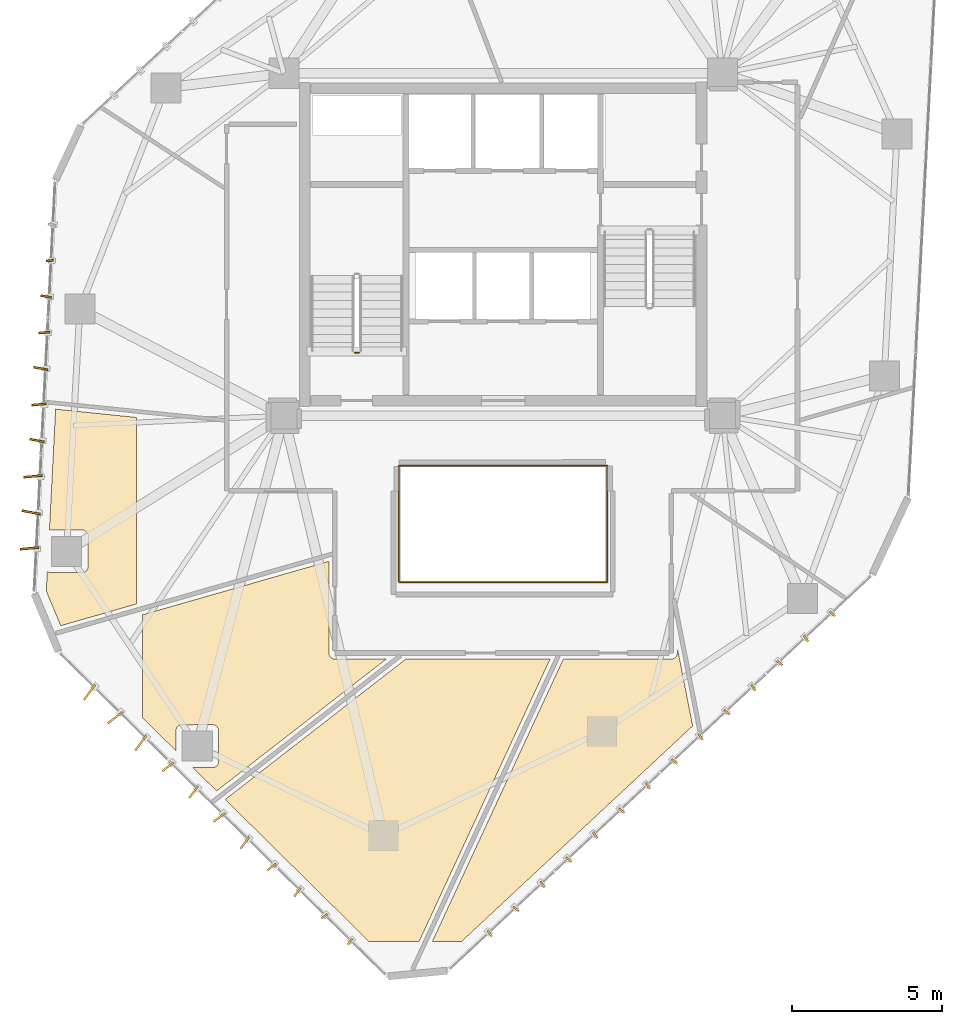
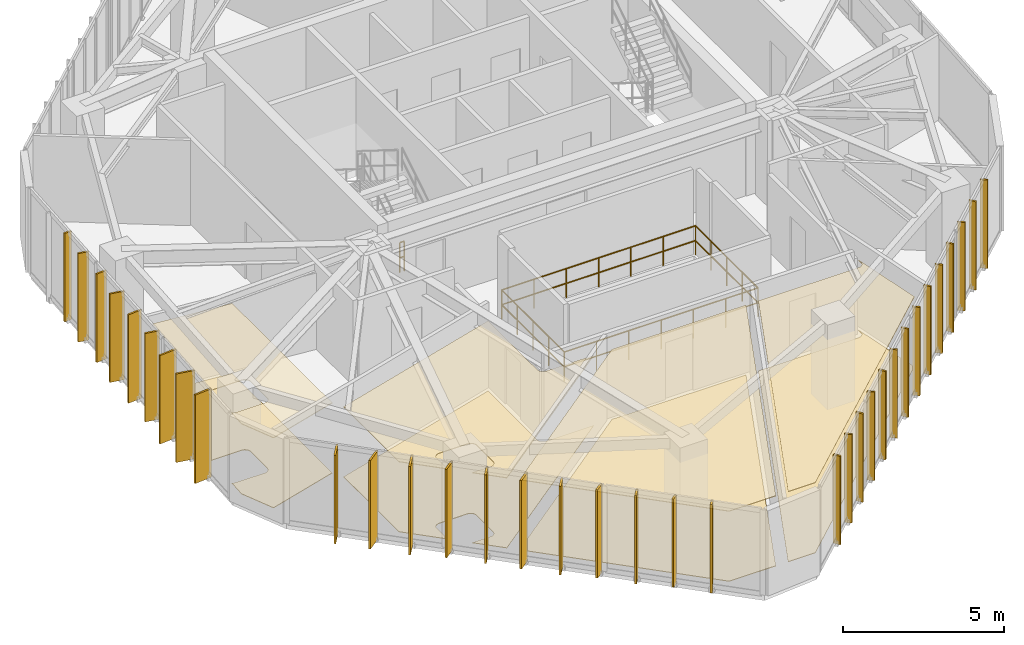
# One storey, part 18 of 19: 34 shading devices, 8 coverings, 5 railings.
"""IFC4 building model written with IfcOpenShell, lengths in metres."""

from ifc_helpers import new_model, si_unit, direction, frame, origin, origin_2d, place, context, subcontext, project, spatial, polyline, rectangle, circle, outline, extrude, source, transform, mapped, material, layer, layer_set, type_object, type_shapes, element, save


model = new_model("IFC4")

# Units and contexts
model_context = context("Model", 3, precision=1e-05, world=origin(), true_north=direction((0.0, 1.0)))
body_context = subcontext(model_context, "Body", "Model", "MODEL_VIEW")
ifc_project = project(units=[si_unit("LENGTHUNIT", "METRE"), si_unit("AREAUNIT", "SQUARE_METRE"), si_unit("VOLUMEUNIT", "CUBIC_METRE"), si_unit("PLANEANGLEUNIT", "RADIAN"), si_unit("MASSUNIT", "GRAM", prefix="KILO")], contexts=[model_context])

# Site, building, storey
site_placement = place(None, origin())
site = spatial("IfcSite", under=ifc_project, at=site_placement, CompositionType="ELEMENT")
building_placement = place(site_placement, origin())
building = spatial("IfcBuilding", under=site, at=building_placement, Name="Talar Marvaseh", CompositionType="ELEMENT")
storey_placement = place(building_placement, frame((0.0, 0.0, 218.699951171875)))
storey = spatial("IfcBuildingStorey", under=building, at=storey_placement, Name="L57", CompositionType="ELEMENT", Elevation=218.699951171875)

# Railings
ifc_material_1 = material(Name="Tempered Clear Glass", Category="glass")
railing_type_1 = type_object("IfcRailingType", Name="Interior Atrium Edge Balustrade 1120", PredefinedType="BALUSTRADE", material=ifc_material_1)
railing_1_placement = place(storey_placement, frame((22.5302734375, 19.9609375, 0.0)))
element("IfcRailing", 1, at=railing_1_placement, inside=storey, type_object=railing_type_1, Name="L57 Internal Daylight Atrium Balustrade 1", PredefinedType="BALUSTRADE", context=body_context, shape_type="SweptSolid", body=[
    extrude(circle(Radius=0.02392578125, at=origin_2d()), frame((0.0, 0.0, 1.09619140625), z_axis=(1.0, 0.0, 0.0), x_axis=(0.0, 1.0, 0.0)), (0.0, 0.0, 1.0), 6.939453125),
    extrude(circle(Radius=0.02392578125, at=origin_2d()), frame((0.0, 0.0, 0.5361328125), z_axis=(1.0, 0.0, 0.0), x_axis=(0.0, 1.0, 0.0)), (0.0, 0.0, 1.0), 6.939453125),
    extrude(circle(Radius=0.02099609375, at=origin_2d()), origin(), (0.0, 0.0, 1.0), 1.072021484375),
    extrude(circle(Radius=0.02099609375, at=origin_2d()), frame((1.156494140625, 0.0, 0.0)), (0.0, 0.0, 1.0), 1.072021484375),
    extrude(circle(Radius=0.02099609375, at=origin_2d()), frame((2.313232421875, 0.0, 0.0)), (0.0, 0.0, 1.0), 1.072021484375),
    extrude(circle(Radius=0.02099609375, at=origin_2d()), frame((3.4697265625, 0.0, 0.0)), (0.0, 0.0, 1.0), 1.072021484375),
    extrude(circle(Radius=0.02099609375, at=origin_2d()), frame((4.626220703125, 0.0, 0.0)), (0.0, 0.0, 1.0), 1.072021484375),
    extrude(circle(Radius=0.02099609375, at=origin_2d()), frame((5.782958984375, 0.0, 0.0)), (0.0, 0.0, 1.0), 1.072021484375),
    extrude(circle(Radius=0.02099609375, at=origin_2d()), frame((6.939453125, 0.0, 0.0)), (0.0, 0.0, 1.0), 1.072021484375),
])
railing_2_placement = place(storey_placement, frame((29.4697265625, 19.9609375, 0.0)))
element("IfcRailing", 2, at=railing_2_placement, inside=storey, type_object=railing_type_1, Name="L57 Internal Daylight Atrium Balustrade 2", PredefinedType="BALUSTRADE", context=body_context, shape_type="SweptSolid", body=[
    extrude(circle(Radius=0.02392578125, at=origin_2d()), frame((0.0, 0.0, 1.09619140625), z_axis=(0.0, 1.0, 0.0), x_axis=(-1.0, 0.0, 0.0)), (0.0, 0.0, 1.0), 3.878173828125),
    extrude(circle(Radius=0.02392578125, at=origin_2d()), frame((0.0, 0.0, 0.5361328125), z_axis=(0.0, 1.0, 0.0), x_axis=(-1.0, 0.0, 0.0)), (0.0, 0.0, 1.0), 3.878173828125),
    extrude(circle(Radius=0.02099609375, at=origin_2d()), origin(), (0.0, 0.0, 1.0), 1.072021484375),
    extrude(circle(Radius=0.02099609375, at=origin_2d()), frame((0.0, 0.969482421875, 0.0)), (0.0, 0.0, 1.0), 1.072021484375),
    extrude(circle(Radius=0.02099609375, at=origin_2d()), frame((0.0, 1.93896484375, 0.0)), (0.0, 0.0, 1.0), 1.072021484375),
    extrude(circle(Radius=0.02099609375, at=origin_2d()), frame((0.0, 2.90869140625, 0.0)), (0.0, 0.0, 1.0), 1.072021484375),
    extrude(circle(Radius=0.02099609375, at=origin_2d()), frame((0.0, 3.878173828125, 0.0)), (0.0, 0.0, 1.0), 1.072021484375),
])
railing_3_placement = place(storey_placement, frame((29.4697265625, 23.839111328125, 0.0)))
element("IfcRailing", 3, at=railing_3_placement, inside=storey, type_object=railing_type_1, Name="L57 Internal Daylight Atrium Balustrade 3", PredefinedType="BALUSTRADE", context=body_context, shape_type="SweptSolid", body=[
    extrude(circle(Radius=0.02392578125, at=origin_2d()), frame((0.0, 0.0, 1.09619140625), z_axis=(-1.0, 0.0, 0.0), x_axis=(0.0, -1.0, 0.0)), (0.0, 0.0, 1.0), 6.939453125),
    extrude(circle(Radius=0.02392578125, at=origin_2d()), frame((0.0, 0.0, 0.5361328125), z_axis=(-1.0, 0.0, 0.0), x_axis=(0.0, -1.0, 0.0)), (0.0, 0.0, 1.0), 6.939453125),
    extrude(circle(Radius=0.02099609375, at=origin_2d()), origin(), (0.0, 0.0, 1.0), 1.072021484375),
    extrude(circle(Radius=0.02099609375, at=origin_2d()), frame((-1.156494140625, 0.0, 0.0)), (0.0, 0.0, 1.0), 1.072021484375),
    extrude(circle(Radius=0.02099609375, at=origin_2d()), frame((-2.313232421875, 0.0, 0.0)), (0.0, 0.0, 1.0), 1.072021484375),
    extrude(circle(Radius=0.02099609375, at=origin_2d()), frame((-3.4697265625, 0.0, 0.0)), (0.0, 0.0, 1.0), 1.072021484375),
    extrude(circle(Radius=0.02099609375, at=origin_2d()), frame((-4.626220703125, 0.0, 0.0)), (0.0, 0.0, 1.0), 1.072021484375),
    extrude(circle(Radius=0.02099609375, at=origin_2d()), frame((-5.782958984375, 0.0, 0.0)), (0.0, 0.0, 1.0), 1.072021484375),
    extrude(circle(Radius=0.02099609375, at=origin_2d()), frame((-6.939453125, 0.0, 0.0)), (0.0, 0.0, 1.0), 1.072021484375),
])
railing_4_placement = place(storey_placement, frame((22.5302734375, 23.839111328125, 0.0)))
element("IfcRailing", 4, at=railing_4_placement, inside=storey, type_object=railing_type_1, Name="L57 Internal Daylight Atrium Balustrade 4", PredefinedType="BALUSTRADE", context=body_context, shape_type="SweptSolid", body=[
    extrude(circle(Radius=0.02392578125, at=origin_2d()), frame((0.0, 0.0, 1.09619140625), z_axis=(0.0, -1.0, 0.0), x_axis=(1.0, 0.0, 0.0)), (0.0, 0.0, 1.0), 3.878173828125),
    extrude(circle(Radius=0.02392578125, at=origin_2d()), frame((0.0, 0.0, 0.5361328125), z_axis=(0.0, -1.0, 0.0), x_axis=(1.0, 0.0, 0.0)), (0.0, 0.0, 1.0), 3.878173828125),
    extrude(circle(Radius=0.02099609375, at=origin_2d()), origin(), (0.0, 0.0, 1.0), 1.072021484375),
    extrude(circle(Radius=0.02099609375, at=origin_2d()), frame((0.0, -0.969482421875, 0.0)), (0.0, 0.0, 1.0), 1.072021484375),
    extrude(circle(Radius=0.02099609375, at=origin_2d()), frame((0.0, -1.93896484375, 0.0)), (0.0, 0.0, 1.0), 1.072021484375),
    extrude(circle(Radius=0.02099609375, at=origin_2d()), frame((0.0, -2.90869140625, 0.0)), (0.0, 0.0, 1.0), 1.072021484375),
    extrude(circle(Radius=0.02099609375, at=origin_2d()), frame((0.0, -3.878173828125, 0.0)), (0.0, 0.0, 1.0), 1.072021484375),
])
ifc_material_2 = material(Name="Stainless Steel Grade 316", Category="steel")
railing_type_2 = type_object("IfcRailingType", Name="Painted Steel Core Stair Well Guardrail 1150", PredefinedType="GUARDRAIL", material=ifc_material_2)
railing_5_placement = place(storey_placement, frame((21.2099609375, 27.60009765625, 0.0)))
element("IfcRailing", 5, at=railing_5_placement, inside=storey, type_object=railing_type_2, Name="L57 ST-1 stair guard 4", PredefinedType="GUARDRAIL", context=body_context, shape_type="SweptSolid", body=[
    extrude(circle(Radius=0.02392578125, at=origin_2d()), frame((0.0, 0.0, 1.1259765625), z_axis=(-1.0, 0.0, 0.0), x_axis=(0.0, -1.0, 0.0)), (0.0, 0.0, 1.0), 0.159912109375),
    extrude(circle(Radius=0.02392578125, at=origin_2d()), frame((0.0, 0.0, 0.55078125), z_axis=(-1.0, 0.0, 0.0), x_axis=(0.0, -1.0, 0.0)), (0.0, 0.0, 1.0), 0.159912109375),
    extrude(circle(Radius=0.02099609375, at=origin_2d()), origin(), (0.0, 0.0, 1.0), 1.101806640625),
    extrude(circle(Radius=0.02099609375, at=origin_2d()), frame((-0.159912109375, 0.0, 0.0)), (0.0, 0.0, 1.0), 1.101806640625),
])

# Coverings
ifc_material_3 = material(Name="Mineral Fibre Acoustic Ceiling")
ifc_layer_1 = layer(ifc_material_3, 0.02490234375)
ifc_layer_set_1 = layer_set([ifc_layer_1], Name="Mineral Fibre Acoustic Ceiling")
covering_type_1 = type_object("IfcCoveringType", Name="Perforated Mineral Fibre Acoustic Suspended Ceiling", PredefinedType="CEILING", material=ifc_layer_set_1)
covering_1_placement = place(storey_placement, frame((0.0, 0.0, 2.650146484375)))
element("IfcCovering", 6, at=covering_1_placement, inside=storey, type_object=covering_type_1, Name="L57 Gallery Concierge Reception Acoustic Ceiling", PredefinedType="CEILING", context=body_context, shape_type="SweptSolid", body=[
    extrude(outline(polyline([(10.850341796875, 20.30908203125), (10.8671875, 20.299072265625), (10.885009765625, 20.29052734375), (10.9033203125, 20.283935546875), (10.92236328125, 20.279296875), (10.94189453125, 20.2763671875), (10.96142578125, 20.275390625), (11.982666015625, 20.275390625), (12.002197265625, 20.2763671875), (12.021484375, 20.279296875), (12.04052734375, 20.283935546875), (12.058837890625, 20.29052734375), (12.07666015625, 20.298828125), (12.093505859375, 20.308837890625), (12.109130859375, 20.320556640625), (12.123779296875, 20.333740234375), (12.136962890625, 20.34814453125), (12.148681640625, 20.36376953125), (12.15869140625, 20.380615234375), (12.1669921875, 20.398193359375), (12.173828125, 20.416748046875), (12.1787109375, 20.435791015625), (12.181640625, 20.455078125), (12.1826171875, 20.474609375), (12.18701171875, 21.48681640625), (12.18603515625, 21.50537109375), (12.18359375, 21.523681640625), (12.179443359375, 21.5419921875), (12.173583984375, 21.5595703125), (12.166015625, 21.57666015625), (12.156982421875, 21.593017578125), (12.146240234375, 21.6083984375), (12.134521484375, 21.62255859375), (12.12109375, 21.6357421875), (12.106201171875, 21.649169921875), (12.092041015625, 21.660888671875), (12.07666015625, 21.67138671875), (12.060546875, 21.680419921875), (12.043701171875, 21.687744140625), (12.02587890625, 21.693603515625), (12.008056640625, 21.69775390625), (11.989501953125, 21.7001953125), (11.97119140625, 21.700927734375), (10.96044921875, 21.696533203125), (10.94091796875, 21.695556640625), (10.921630859375, 21.692626953125), (10.902587890625, 21.687744140625), (10.897216796875, 21.685791015625), (11.10400390625, 25.718994140625), (13.800048828125, 25.4423828125), (13.800048828125, 19.2333984375), (11.275146484375, 18.50927734375), (10.793701171875, 19.664306640625), (10.82763671875, 20.326904296875), (10.83447265625, 20.32080078125), (10.850341796875, 20.30908203125)])), origin(), (0.0, 0.0, 1.0), 0.02490234375),
])
covering_2_placement = place(storey_placement, frame((0.0, 0.0, 2.650146484375)))
element("IfcCovering", 7, at=covering_2_placement, inside=storey, type_object=covering_type_1, Name="L57 Rare Books Archive Room Acoustic Ceiling", PredefinedType="CEILING", context=body_context, shape_type="SweptSolid", body=[
    extrude(outline(polyline([(20.199951171875, 17.60009765625), (20.200927734375, 17.580322265625), (20.203857421875, 17.56103515625), (20.20849609375, 17.5419921875), (20.215087890625, 17.5234375), (20.2236328125, 17.505615234375), (20.233642578125, 17.489013671875), (20.245361328125, 17.47314453125), (20.258544921875, 17.45849609375), (20.273193359375, 17.4453125), (20.288818359375, 17.43359375), (20.3056640625, 17.423583984375), (20.323486328125, 17.415283203125), (20.341796875, 17.40869140625), (20.361083984375, 17.40380859375), (20.38037109375, 17.40087890625), (20.39990234375, 17.39990234375), (22.111083984375, 17.39990234375), (16.4619140625, 13.00927734375), (15.671142578125, 13.790283203125), (16.32958984375, 13.790283203125), (16.34912109375, 13.79150390625), (16.368408203125, 13.794189453125), (16.387451171875, 13.799072265625), (16.406005859375, 13.805419921875), (16.423583984375, 13.81396484375), (16.4404296875, 13.823974609375), (16.456298828125, 13.835693359375), (16.470703125, 13.8486328125), (16.48388671875, 13.86328125), (16.49560546875, 13.87890625), (16.505615234375, 13.8955078125), (16.51416015625, 13.913330078125), (16.520751953125, 13.931640625), (16.525634765625, 13.95068359375), (16.528564453125, 13.969970703125), (16.529541015625, 13.989501953125), (16.533935546875, 15.001708984375), (16.533203125, 15.020263671875), (16.530517578125, 15.038818359375), (16.5263671875, 15.056884765625), (16.5205078125, 15.07470703125), (16.512939453125, 15.091552734375), (16.50390625, 15.10791015625), (16.493408203125, 15.123291015625), (16.4814453125, 15.1376953125), (16.46826171875, 15.150634765625), (16.453369140625, 15.164306640625), (16.43896484375, 15.176025390625), (16.423583984375, 15.186279296875), (16.407470703125, 15.1953125), (16.390625, 15.202880859375), (16.373046875, 15.20849609375), (16.35498046875, 15.212646484375), (16.336669921875, 15.215087890625), (16.318115234375, 15.216064453125), (15.3076171875, 15.211669921875), (15.2880859375, 15.210693359375), (15.2685546875, 15.20751953125), (15.249755859375, 15.202880859375), (15.231201171875, 15.196044921875), (15.213623046875, 15.187744140625), (15.19677734375, 15.177490234375), (15.18115234375, 15.166015625), (15.166748046875, 15.152587890625), (15.153564453125, 15.13818359375), (15.141845703125, 15.122314453125), (15.1318359375, 15.105712890625), (15.12353515625, 15.087890625), (15.116943359375, 15.069580078125), (15.1123046875, 15.050537109375), (15.109375, 15.031005859375), (15.1083984375, 15.01171875), (15.1083984375, 14.346435546875), (14.0, 15.44140625), (14.0, 18.87451171875), (20.199951171875, 20.65234375), (20.199951171875, 17.60009765625)])), origin(), (0.0, 0.0, 1.0), 0.02490234375),
])
covering_3_placement = place(storey_placement, frame((0.0, 0.0, 2.650146484375)))
element("IfcCovering", 8, at=covering_3_placement, inside=storey, type_object=covering_type_1, Name="L57 Visitor Orientation Foyer Acoustic Ceiling", PredefinedType="CEILING", context=body_context, shape_type="SweptSolid", body=[
    extrude(outline(polyline([(27.564208984375, 17.39990234375), (23.20361328125, 8.0), (21.531982421875, 8.0), (16.748779296875, 12.7255859375), (22.762939453125, 17.39990234375), (27.564208984375, 17.39990234375)])), origin(), (0.0, 0.0, 1.0), 0.02490234375),
])
covering_4_placement = place(storey_placement, frame((0.0, 0.0, 2.650146484375)))
element("IfcCovering", 9, at=covering_4_placement, inside=storey, type_object=covering_type_1, Name="L57 Collection Conservation Store Acoustic Ceiling", PredefinedType="CEILING", context=body_context, shape_type="SweptSolid", body=[
    extrude(outline(polyline([(31.60009765625, 17.39990234375), (31.61962890625, 17.40087890625), (31.638916015625, 17.40380859375), (31.658203125, 17.40869140625), (31.676513671875, 17.415283203125), (31.6943359375, 17.423583984375), (31.711181640625, 17.43359375), (31.726806640625, 17.4453125), (31.741455078125, 17.45849609375), (31.754638671875, 17.47314453125), (31.766357421875, 17.489013671875), (31.7763671875, 17.505615234375), (31.784912109375, 17.5234375), (31.79150390625, 17.5419921875), (31.796142578125, 17.56103515625), (31.799072265625, 17.580322265625), (31.800048828125, 17.60009765625), (31.800048828125, 17.77197265625), (32.310302734375, 15.174560546875), (24.61865234375, 8.0), (23.64453125, 8.0), (28.005126953125, 17.39990234375), (31.60009765625, 17.39990234375)])), origin(), (0.0, 0.0, 1.0), 0.02490234375),
])
ifc_material_4 = material(Name="Porcelain Stoneware Tile", Category="masonry")
ifc_layer_2 = layer(ifc_material_4, 0.02001953125)
ifc_layer_set_2 = layer_set([ifc_layer_2], Name="Porcelain Stoneware Tile")
covering_type_2 = type_object("IfcCoveringType", Name="Polished Porcelain Stoneware Gallery Flooring", PredefinedType="FLOORING", material=ifc_layer_set_2)
covering_5_placement = place(storey_placement, origin())
element("IfcCovering", 10, at=covering_5_placement, inside=storey, type_object=covering_type_2, Name="L57 Gallery Concierge Reception Flooring", PredefinedType="FLOORING", context=body_context, shape_type="SweptSolid", body=[
    extrude(outline(polyline([(10.850341796875, 20.30908203125), (10.8671875, 20.299072265625), (10.885009765625, 20.29052734375), (10.9033203125, 20.283935546875), (10.92236328125, 20.279296875), (10.94189453125, 20.2763671875), (10.96142578125, 20.275390625), (11.982666015625, 20.275390625), (12.002197265625, 20.2763671875), (12.021484375, 20.279296875), (12.04052734375, 20.283935546875), (12.058837890625, 20.29052734375), (12.07666015625, 20.298828125), (12.093505859375, 20.308837890625), (12.109130859375, 20.320556640625), (12.123779296875, 20.333740234375), (12.136962890625, 20.34814453125), (12.148681640625, 20.36376953125), (12.15869140625, 20.380615234375), (12.1669921875, 20.398193359375), (12.173828125, 20.416748046875), (12.1787109375, 20.435791015625), (12.181640625, 20.455078125), (12.1826171875, 20.474609375), (12.18701171875, 21.48681640625), (12.18603515625, 21.50537109375), (12.18359375, 21.523681640625), (12.179443359375, 21.5419921875), (12.173583984375, 21.5595703125), (12.166015625, 21.57666015625), (12.156982421875, 21.593017578125), (12.146240234375, 21.6083984375), (12.134521484375, 21.62255859375), (12.12109375, 21.6357421875), (12.106201171875, 21.649169921875), (12.092041015625, 21.660888671875), (12.07666015625, 21.67138671875), (12.060546875, 21.680419921875), (12.043701171875, 21.687744140625), (12.02587890625, 21.693603515625), (12.008056640625, 21.69775390625), (11.989501953125, 21.7001953125), (11.97119140625, 21.700927734375), (10.96044921875, 21.696533203125), (10.94091796875, 21.695556640625), (10.921630859375, 21.692626953125), (10.902587890625, 21.687744140625), (10.897216796875, 21.685791015625), (11.10400390625, 25.718994140625), (13.800048828125, 25.4423828125), (13.800048828125, 19.2333984375), (11.275146484375, 18.50927734375), (10.793701171875, 19.664306640625), (10.82763671875, 20.326904296875), (10.83447265625, 20.32080078125), (10.850341796875, 20.30908203125)])), origin(), (0.0, 0.0, 1.0), 0.02001953125),
])
covering_6_placement = place(storey_placement, origin())
element("IfcCovering", 11, at=covering_6_placement, inside=storey, type_object=covering_type_2, Name="L57 Rare Books Archive Room Flooring", PredefinedType="FLOORING", context=body_context, shape_type="SweptSolid", body=[
    extrude(outline(polyline([(20.199951171875, 17.60009765625), (20.200927734375, 17.580322265625), (20.203857421875, 17.56103515625), (20.20849609375, 17.5419921875), (20.215087890625, 17.5234375), (20.2236328125, 17.505615234375), (20.233642578125, 17.489013671875), (20.245361328125, 17.47314453125), (20.258544921875, 17.45849609375), (20.273193359375, 17.4453125), (20.288818359375, 17.43359375), (20.3056640625, 17.423583984375), (20.323486328125, 17.415283203125), (20.341796875, 17.40869140625), (20.361083984375, 17.40380859375), (20.38037109375, 17.40087890625), (20.39990234375, 17.39990234375), (22.111083984375, 17.39990234375), (16.4619140625, 13.00927734375), (15.671142578125, 13.790283203125), (16.32958984375, 13.790283203125), (16.34912109375, 13.79150390625), (16.368408203125, 13.794189453125), (16.387451171875, 13.799072265625), (16.406005859375, 13.805419921875), (16.423583984375, 13.81396484375), (16.4404296875, 13.823974609375), (16.456298828125, 13.835693359375), (16.470703125, 13.8486328125), (16.48388671875, 13.86328125), (16.49560546875, 13.87890625), (16.505615234375, 13.8955078125), (16.51416015625, 13.913330078125), (16.520751953125, 13.931640625), (16.525634765625, 13.95068359375), (16.528564453125, 13.969970703125), (16.529541015625, 13.989501953125), (16.533935546875, 15.001708984375), (16.533203125, 15.020263671875), (16.530517578125, 15.038818359375), (16.5263671875, 15.056884765625), (16.5205078125, 15.07470703125), (16.512939453125, 15.091552734375), (16.50390625, 15.10791015625), (16.493408203125, 15.123291015625), (16.4814453125, 15.1376953125), (16.46826171875, 15.150634765625), (16.453369140625, 15.164306640625), (16.43896484375, 15.176025390625), (16.423583984375, 15.186279296875), (16.407470703125, 15.1953125), (16.390625, 15.202880859375), (16.373046875, 15.20849609375), (16.35498046875, 15.212646484375), (16.336669921875, 15.215087890625), (16.318115234375, 15.216064453125), (15.3076171875, 15.211669921875), (15.2880859375, 15.210693359375), (15.2685546875, 15.20751953125), (15.249755859375, 15.202880859375), (15.231201171875, 15.196044921875), (15.213623046875, 15.187744140625), (15.19677734375, 15.177490234375), (15.18115234375, 15.166015625), (15.166748046875, 15.152587890625), (15.153564453125, 15.13818359375), (15.141845703125, 15.122314453125), (15.1318359375, 15.105712890625), (15.12353515625, 15.087890625), (15.116943359375, 15.069580078125), (15.1123046875, 15.050537109375), (15.109375, 15.031005859375), (15.1083984375, 15.01171875), (15.1083984375, 14.346435546875), (14.0, 15.44140625), (14.0, 18.87451171875), (20.199951171875, 20.65234375), (20.199951171875, 17.60009765625)])), origin(), (0.0, 0.0, 1.0), 0.02001953125),
])
covering_7_placement = place(storey_placement, origin())
element("IfcCovering", 12, at=covering_7_placement, inside=storey, type_object=covering_type_2, Name="L57 Visitor Orientation Foyer Flooring", PredefinedType="FLOORING", context=body_context, shape_type="SweptSolid", body=[
    extrude(outline(polyline([(27.564208984375, 17.39990234375), (23.20361328125, 8.0), (21.531982421875, 8.0), (16.748779296875, 12.7255859375), (22.762939453125, 17.39990234375), (27.564208984375, 17.39990234375)])), origin(), (0.0, 0.0, 1.0), 0.02001953125),
])
covering_8_placement = place(storey_placement, origin())
element("IfcCovering", 13, at=covering_8_placement, inside=storey, type_object=covering_type_2, Name="L57 Collection Conservation Store Flooring", PredefinedType="FLOORING", context=body_context, shape_type="SweptSolid", body=[
    extrude(outline(polyline([(31.60009765625, 17.39990234375), (31.61962890625, 17.40087890625), (31.638916015625, 17.40380859375), (31.658203125, 17.40869140625), (31.676513671875, 17.415283203125), (31.6943359375, 17.423583984375), (31.711181640625, 17.43359375), (31.726806640625, 17.4453125), (31.741455078125, 17.45849609375), (31.754638671875, 17.47314453125), (31.766357421875, 17.489013671875), (31.7763671875, 17.505615234375), (31.784912109375, 17.5234375), (31.79150390625, 17.5419921875), (31.796142578125, 17.56103515625), (31.799072265625, 17.580322265625), (31.800048828125, 17.60009765625), (31.800048828125, 17.77197265625), (32.310302734375, 15.174560546875), (24.61865234375, 8.0), (23.64453125, 8.0), (28.005126953125, 17.39990234375), (31.60009765625, 17.39990234375)])), origin(), (0.0, 0.0, 1.0), 0.02001953125),
])

# Shading devices
ifc_material_5 = material(Name="Anodised Champagne Bronze Aluminium", Category="aluminium")
ifc_layer_3 = layer(ifc_material_5, 0.06494140625)
ifc_layer_set_3 = layer_set([ifc_layer_3], Name="Anodised Champagne Bronze Aluminium")
shading_device_type_1 = type_object("IfcShadingDeviceType", Name="Sawtooth Champagne Bronze Vertical Fin 240", PredefinedType="USERDEFINED", material=ifc_layer_set_3)
shared_shape_1 = source(origin(), body_context, "Body", "SweptSolid", [
    extrude(rectangle(XDim=0.239990234375, YDim=0.06494140625, at=origin_2d()), origin(), (0.0, 0.0, 1.0), 3.35009765625),
])
type_shapes(shading_device_type_1, [shared_shape_1])
for number, where, z_axis, x_axis, name in (
    (14, (20.904052734375, 7.994873046875, -0.1201171875), (0.0, 0.0, 1.0), (-0.596925238263, -0.802296865209, 0.0), "L57 Sawtooth Vertical Solar Fin"),
    (15, (20.05029296875, 8.838134765625, -0.1201171875), (0.0, 0.0, 1.0), (-0.794944353388, -0.606682351002, 0.0), "L57 Sawtooth Vertical Solar Fin"),
    (16, (10.91162109375, 30.661376953125, -0.1201171875), (0.0, 0.0, 1.0), (-0.996087473818, -0.088372758823, 0.0), "L57 Sawtooth Vertical Solar Fin"),
    (17, (36.9619140625, 18.9052734375, -0.1201171875), (0.0, 0.0, 1.0), (0.777255786749, -0.629184743907, 0.0), "L57 Sawtooth Vertical Solar Fin"),
    (18, (36.08447265625, 18.086669921875, -0.1201171875), (0.0, 0.0, 1.0), (0.573719396617, -0.81905192384, 0.0), "L57 Sawtooth Vertical Solar Fin"),
    (19, (35.20703125, 17.26806640625, -0.1201171875), (0.0, 0.0, 1.0), (0.777255786749, -0.629184743907, 0.0), "L57 Sawtooth Vertical Solar Fin"),
    (20, (34.32958984375, 16.44970703125, -0.1201171875), (0.0, 0.0, 1.0), (0.573719396617, -0.81905192384, 0.0), "L57 Sawtooth Vertical Solar Fin"),
    (21, (33.451904296875, 15.631103515625, -0.1201171875), (0.0, 0.0, 1.0), (0.777255786749, -0.629184743907, 0.0), "L57 Sawtooth Vertical Solar Fin"),
    (22, (32.574462890625, 14.8125, -0.1201171875), (0.0, 0.0, 1.0), (0.573719396617, -0.81905192384, 0.0), "L57 Sawtooth Vertical Solar Fin"),
    (23, (31.697021484375, 13.993896484375, -0.1201171875), (0.0, 0.0, 1.0), (0.777255786749, -0.629184743907, 0.0), "L57 Sawtooth Vertical Solar Fin"),
    (24, (30.819580078125, 13.175537109375, -0.1201171875), (0.0, 0.0, 1.0), (0.573719396617, -0.81905192384, 0.0), "L57 Sawtooth Vertical Solar Fin"),
    (25, (29.94189453125, 12.35693359375, -0.1201171875), (0.0, 0.0, 1.0), (0.777255786749, -0.629184743907, 0.0), "L57 Sawtooth Vertical Solar Fin"),
    (26, (29.064453125, 11.538330078125, -0.1201171875), (0.0, 0.0, 1.0), (0.573719396617, -0.81905192384, 0.0), "L57 Sawtooth Vertical Solar Fin"),
    (27, (28.18701171875, 10.719970703125, -0.1201171875), (0.0, 0.0, 1.0), (0.777255786749, -0.629184743907, 0.0), "L57 Sawtooth Vertical Solar Fin"),
    (28, (27.3095703125, 9.9013671875, -0.1201171875), (0.0, 0.0, 1.0), (0.573719396617, -0.81905192384, 0.0), "L57 Sawtooth Vertical Solar Fin"),
    (29, (26.431884765625, 9.082763671875, -0.1201171875), (0.0, 0.0, 1.0), (0.777255786749, -0.629184743907, 0.0), "L57 Sawtooth Vertical Solar Fin"),
    (30, (25.554443359375, 8.264404296875, -0.1201171875), (0.0, 0.0, 1.0), (0.573719396617, -0.81905192384, 0.0), "L57 Sawtooth Vertical Solar Fin"),
):
    element("IfcShadingDevice", number, at=place(storey_placement, frame(where, z_axis=z_axis, x_axis=x_axis)), inside=storey, type_object=shading_device_type_1, Name=name, ObjectType="FIN", PredefinedType="USERDEFINED", context=body_context, shape_type="MappedRepresentation", body=[
        mapped(shared_shape_1, transform((0.0, 0.0, 0.0), x_axis=(1.0, 0.0, 0.0), y_axis=(0.0, 1.0, 0.0), z_axis=(0.0, 0.0, 1.0), scale=1.0)),
    ])
ifc_layer_4 = layer(ifc_material_5, 0.06494140625)
ifc_layer_set_4 = layer_set([ifc_layer_4], Name="Anodised Champagne Bronze Aluminium")
shading_device_type_2 = type_object("IfcShadingDeviceType", Name="Sawtooth Champagne Bronze Vertical Fin 360", PredefinedType="USERDEFINED", material=ifc_layer_set_4)
shared_shape_2 = source(origin(), body_context, "Body", "SweptSolid", [
    extrude(rectangle(XDim=0.360107421875, YDim=0.06494140625, at=origin_2d()), origin(), (0.0, 0.0, 1.0), 3.35009765625),
])
type_shapes(shading_device_type_2, [shared_shape_2])
for number, where, z_axis, x_axis, name in (
    (31, (19.154541015625, 9.638916015625, -0.1201171875), (0.0, 0.0, 1.0), (-0.596925238263, -0.802296865209, 0.0), "L57 Sawtooth Vertical Solar Fin"),
    (32, (18.301025390625, 10.482421875, -0.1201171875), (0.0, 0.0, 1.0), (-0.794944353388, -0.606682351002, 0.0), "L57 Sawtooth Vertical Solar Fin"),
    (33, (10.728759765625, 28.267578125, -0.1201171875), (0.0, 0.0, 1.0), (-0.996087473818, -0.088372758823, 0.0), "L57 Sawtooth Vertical Solar Fin"),
    (34, (10.790283203125, 29.466064453125, -0.1201171875), (0.0, 0.0, 1.0), (-0.981859567954, 0.189609569425, 0.0), "L57 Sawtooth Vertical Solar Fin"),
):
    element("IfcShadingDevice", number, at=place(storey_placement, frame(where, z_axis=z_axis, x_axis=x_axis)), inside=storey, type_object=shading_device_type_2, Name=name, ObjectType="FIN", PredefinedType="USERDEFINED", context=body_context, shape_type="MappedRepresentation", body=[
        mapped(shared_shape_2, transform((0.0, 0.0, 0.0), x_axis=(1.0, 0.0, 0.0), y_axis=(0.0, 1.0, 0.0), z_axis=(0.0, 0.0, 1.0), scale=1.0)),
    ])
ifc_layer_5 = layer(ifc_material_5, 0.06494140625)
ifc_layer_set_5 = layer_set([ifc_layer_5], Name="Anodised Champagne Bronze Aluminium")
shading_device_type_3 = type_object("IfcShadingDeviceType", Name="Sawtooth Champagne Bronze Vertical Fin 480", PredefinedType="USERDEFINED", material=ifc_layer_set_5)
shared_shape_3 = source(origin(), body_context, "Body", "SweptSolid", [
    extrude(rectangle(XDim=0.47998046875, YDim=0.06494140625, at=origin_2d()), origin(), (0.0, 0.0, 1.0), 3.35009765625),
])
type_shapes(shading_device_type_3, [shared_shape_3])
for number, where, z_axis, x_axis, name in (
    (35, (17.4052734375, 11.282958984375, -0.1201171875), (0.0, 0.0, 1.0), (-0.596925238263, -0.802296865209, 0.0), "L57 Sawtooth Vertical Solar Fin"),
    (36, (16.551513671875, 12.12646484375, -0.1201171875), (0.0, 0.0, 1.0), (-0.794944353388, -0.606682351002, 0.0), "L57 Sawtooth Vertical Solar Fin"),
    (37, (15.697998046875, 12.9697265625, -0.1201171875), (0.0, 0.0, 1.0), (-0.596925238263, -0.802296865209, 0.0), "L57 Sawtooth Vertical Solar Fin"),
    (38, (14.84423828125, 13.813232421875, -0.1201171875), (0.0, 0.0, 1.0), (-0.794944353388, -0.606682351002, 0.0), "L57 Sawtooth Vertical Solar Fin"),
    (39, (10.484619140625, 24.67529296875, -0.1201171875), (0.0, 0.0, 1.0), (-0.981859567954, 0.189609569425, 0.0), "L57 Sawtooth Vertical Solar Fin"),
    (40, (10.546142578125, 25.873779296875, -0.1201171875), (0.0, 0.0, 1.0), (-0.996087473818, -0.088372758823, 0.0), "L57 Sawtooth Vertical Solar Fin"),
    (41, (10.607421875, 27.072265625, -0.1201171875), (0.0, 0.0, 1.0), (-0.981859567954, 0.189609569425, 0.0), "L57 Sawtooth Vertical Solar Fin"),
):
    element("IfcShadingDevice", number, at=place(storey_placement, frame(where, z_axis=z_axis, x_axis=x_axis)), inside=storey, type_object=shading_device_type_3, Name=name, ObjectType="FIN", PredefinedType="USERDEFINED", context=body_context, shape_type="MappedRepresentation", body=[
        mapped(shared_shape_3, transform((0.0, 0.0, 0.0), x_axis=(1.0, 0.0, 0.0), y_axis=(0.0, 1.0, 0.0), z_axis=(0.0, 0.0, 1.0), scale=1.0)),
    ])
ifc_layer_6 = layer(ifc_material_5, 0.06494140625)
ifc_layer_set_6 = layer_set([ifc_layer_6], Name="Anodised Champagne Bronze Aluminium")
shading_device_type_4 = type_object("IfcShadingDeviceType", Name="Sawtooth Champagne Bronze Vertical Fin 620", PredefinedType="USERDEFINED", material=ifc_layer_set_6)
shared_shape_4 = source(origin(), body_context, "Body", "SweptSolid", [
    extrude(rectangle(XDim=0.6201171875, YDim=0.06494140625, at=origin_2d()), origin(), (0.0, 0.0, 1.0), 3.35009765625),
])
type_shapes(shading_device_type_4, [shared_shape_4])
for number, where, z_axis, x_axis, name in (
    (42, (13.94140625, 14.606689453125, -0.1201171875), (0.0, 0.0, 1.0), (-0.596925238263, -0.802296865209, 0.0), "L57 Sawtooth Vertical Solar Fin"),
    (43, (13.087890625, 15.4501953125, -0.1201171875), (0.0, 0.0, 1.0), (-0.794944353388, -0.606682351002, 0.0), "L57 Sawtooth Vertical Solar Fin"),
    (44, (12.234130859375, 16.29345703125, -0.1201171875), (0.0, 0.0, 1.0), (-0.596925238263, -0.802296865209, 0.0), "L57 Sawtooth Vertical Solar Fin"),
    (45, (10.230712890625, 21.08349609375, -0.1201171875), (0.0, 0.0, 1.0), (-0.996087473818, -0.088372758823, 0.0), "L57 Sawtooth Vertical Solar Fin"),
    (46, (10.2919921875, 22.281982421875, -0.1201171875), (0.0, 0.0, 1.0), (-0.981859567954, 0.189609569425, 0.0), "L57 Sawtooth Vertical Solar Fin"),
    (47, (10.353515625, 23.48046875, -0.1201171875), (0.0, 0.0, 1.0), (-0.996087473818, -0.088372758823, 0.0), "L57 Sawtooth Vertical Solar Fin"),
):
    element("IfcShadingDevice", number, at=place(storey_placement, frame(where, z_axis=z_axis, x_axis=x_axis)), inside=storey, type_object=shading_device_type_4, Name=name, ObjectType="FIN", PredefinedType="USERDEFINED", context=body_context, shape_type="MappedRepresentation", body=[
        mapped(shared_shape_4, transform((0.0, 0.0, 0.0), x_axis=(1.0, 0.0, 0.0), y_axis=(0.0, 1.0, 0.0), z_axis=(0.0, 0.0, 1.0), scale=1.0)),
    ])

save(model, "model.ifc")
